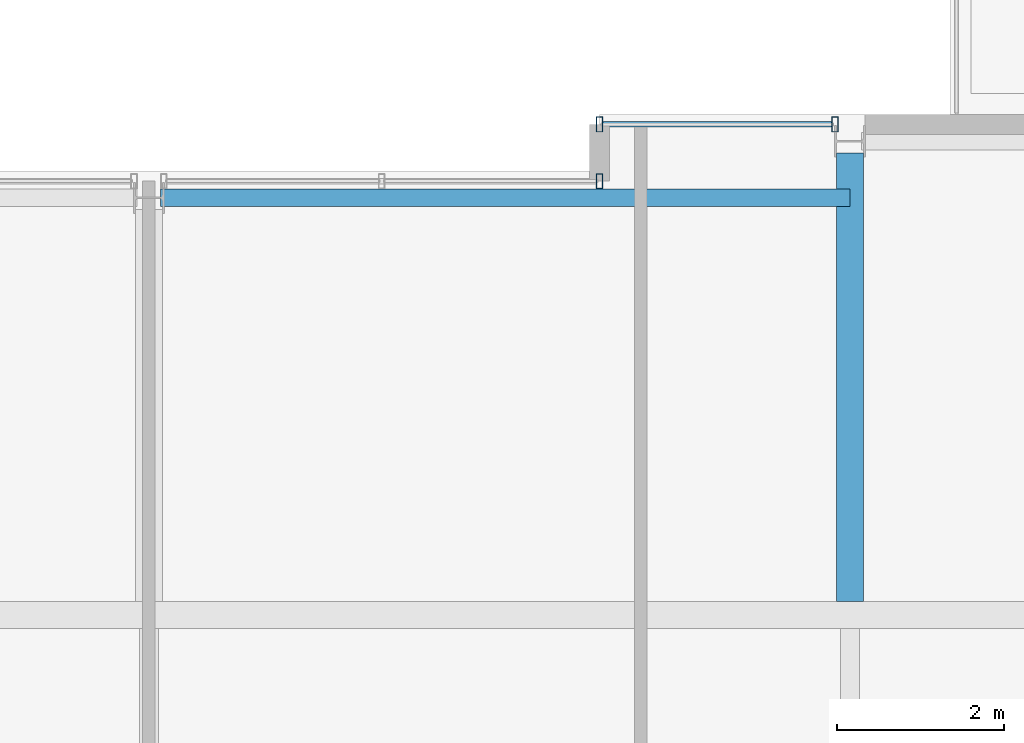
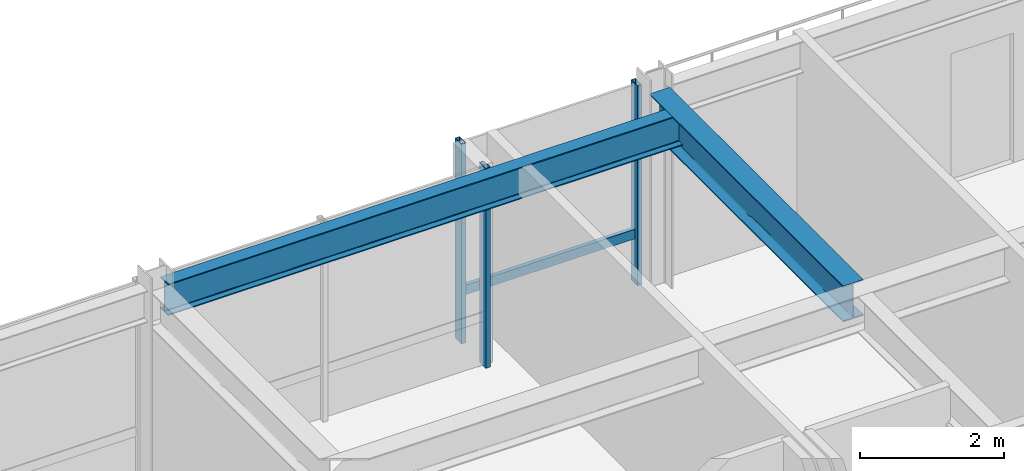
# One storey, part 24 of 33: 4 members, 2 beams, 2 elements without a shape of their own.
"""IFC4 building model written with IfcOpenShell, lengths in metres."""

from ifc_helpers import new_model, si_unit, direction, frame, origin, origin_2d, place, context, subcontext, project, spatial, hollow_rectangle, i_section, extrude, material, layer, layer_set, material_profile, profile_set, type_object, element, aggregate, save


model = new_model("IFC4")

# Units and contexts
model_context = context("Model", 3, precision=1e-05, world=origin(), true_north=direction((0.0, 1.0)))
body_context = subcontext(model_context, "Body", "Model", "MODEL_VIEW")
ifc_project = project(units=[si_unit("LENGTHUNIT", "METRE"), si_unit("AREAUNIT", "SQUARE_METRE"), si_unit("VOLUMEUNIT", "CUBIC_METRE"), si_unit("PLANEANGLEUNIT", "RADIAN"), si_unit("MASSUNIT", "GRAM", prefix="KILO")], contexts=[model_context])

# Site, building, storey
site_placement = place(None, origin())
site = spatial("IfcSite", under=ifc_project, at=site_placement, CompositionType="ELEMENT")
building_placement = place(site_placement, origin())
building = spatial("IfcBuilding", under=site, at=building_placement, Name="Drelvath Grand Hotel", CompositionType="ELEMENT")
storey_placement = place(building_placement, frame((0.0, 0.0, 268.64990234375)))
storey = spatial("IfcBuildingStorey", under=building, at=storey_placement, Name="L70", CompositionType="ELEMENT", Elevation=268.64990234375)

# Curtain wall, member
ifc_material_1 = material(Name="Platinum-Mist Anodised Aluminium Frame", Category="aluminium")
ifc_layer = layer(ifc_material_1, 0.199951171875)
ifc_layer_set = layer_set([ifc_layer], Name="Platinum-Mist Anodised Aluminium Frame")
curtain_wall_type = type_object("IfcCurtainWallType", Name="Stick Curtain Wall CW-05 Platinum Mist High-Rise", PredefinedType="NOTDEFINED", material=ifc_layer_set)
curtain_wall_1_placement = place(storey_placement, origin())
curtain_wall_1 = element("IfcCurtainWall", 1, at=curtain_wall_1_placement, inside=storey, type_object=curtain_wall_type, Name="L70 CW-05 Curtain Wall CW05-L70-NE1", PredefinedType="NOTDEFINED")
ifc_material_profile_1 = material_profile(ifc_material_1, hollow_rectangle(XDim=0.06494140625, YDim=0.159912109375, WallThickness=0.00390625, at=origin_2d()), Name="HSS160X65X4")
ifc_profile_set_1 = profile_set([ifc_material_profile_1], Name="Platinum-Mist Anodised Aluminium Frame")
member_type_1 = type_object("IfcMemberType", Name="Curtain Wall Horizontal Transom CW-05 HSS160X65X4", PredefinedType="USERDEFINED", material=ifc_profile_set_1)
member_1_placement = place(storey_placement, frame((5.43994140625, 49.080078125, 0.84765625), z_axis=(1.0, 0.0, 0.0), x_axis=(0.0, 1.0, 0.0)))
member_1 = element("IfcMember", 2, at=member_1_placement, type_object=member_type_1, Name="CW05-L70-NE1 Sill Transom", ObjectType="TRANSOM", PredefinedType="USERDEFINED", context=body_context, shape_type="SweptSolid", body=[
    extrude(hollow_rectangle(XDim=0.06494140625, YDim=0.159912109375, WallThickness=0.00390625, at=origin_2d()), origin(), (0.0, 0.0, 1.0), 2.741943359375),
])

curtain_wall_2_placement = place(storey_placement, origin())
curtain_wall_2 = element("IfcCurtainWall", 3, at=curtain_wall_2_placement, inside=storey, type_object=curtain_wall_type, Name="L70 CW-05 Curtain Wall CW05-L70-NM2", PredefinedType="NOTDEFINED")
ifc_material_profile_2 = material_profile(ifc_material_1, hollow_rectangle(XDim=0.074951171875, YDim=0.179931640625, WallThickness=0.0048828125, at=origin_2d()), Name="HSS180X75X5")
ifc_profile_set_2 = profile_set([ifc_material_profile_2], Name="Platinum-Mist Anodised Aluminium Frame")
member_type_2 = type_object("IfcMemberType", Name="Curtain Wall Vertical Mullion CW-05 HSS180X75X5", PredefinedType="MULLION", material=ifc_profile_set_2)
member_2_placement = place(storey_placement, frame((5.39990234375, 48.39990234375, 0.0), z_axis=(0.0, 0.0, 1.0), x_axis=(1.0, 0.0, 0.0)))
member_2 = element("IfcMember", 4, at=member_2_placement, type_object=member_type_2, Name="CW05-L70-NM2 Mullion 3", PredefinedType="MULLION", context=body_context, shape_type="SweptSolid", body=[
    extrude(hollow_rectangle(XDim=0.074951171875, YDim=0.179931640625, WallThickness=0.0048828125, at=origin_2d()), origin(), (0.0, 0.0, 1.0), 3.39013671875),
])
aggregate(curtain_wall_2, [member_2])

# Member
member_3_placement = place(storey_placement, frame((5.39990234375, 49.080078125, 0.0), z_axis=(0.0, 0.0, 1.0), x_axis=(1.0, 0.0, 0.0)))
member_3 = element("IfcMember", 5, at=member_3_placement, type_object=member_type_2, Name="CW05-L70-NE1 Mullion 1", PredefinedType="MULLION", context=body_context, shape_type="SweptSolid", body=[
    extrude(hollow_rectangle(XDim=0.074951171875, YDim=0.179931640625, WallThickness=0.0048828125, at=origin_2d()), origin(), (0.0, 0.0, 1.0), 3.39013671875),
])

member_4_placement = place(storey_placement, frame((8.2216796875, 49.080078125, 0.0), z_axis=(0.0, 0.0, 1.0), x_axis=(1.0, 0.0, 0.0)))
member_4 = element("IfcMember", 6, at=member_4_placement, type_object=member_type_2, Name="CW05-L70-NE1 Mullion 2", PredefinedType="MULLION", context=body_context, shape_type="SweptSolid", body=[
    extrude(hollow_rectangle(XDim=0.074951171875, YDim=0.179931640625, WallThickness=0.0048828125, at=origin_2d()), origin(), (0.0, 0.0, 1.0), 3.39013671875),
])

aggregate(curtain_wall_1, [member_3, member_4, member_1])

# Beams
ifc_material_2 = material(Name="Steel ASTM A992 Gr 50", Category="steel")
ifc_material_profile_3 = material_profile(ifc_material_2, i_section(OverallWidth=0.210205078125, OverallDepth=0.53662109375, WebThickness=0.010986328125, FlangeThickness=0.017333984375, FilletRadius=0.01806640625, at=origin_2d()), Name="W21X68")
ifc_profile_set_3 = profile_set([ifc_material_profile_3], Name="Steel ASTM A992 Gr 50")
beam_type_1 = type_object("IfcBeamType", Name="Perimeter Spandrel Beam W21X68", PredefinedType="SPANDREL", material=ifc_profile_set_3)
beam_1_placement = place(storey_placement, frame((0.139892578125, 48.199951171875, 3.121826171875), z_axis=(1.0, 0.0, 0.0), x_axis=(0.0, 1.0, 0.0)))
element("IfcBeam", 7, at=beam_1_placement, inside=storey, type_object=beam_type_1, Name="L70 Spandrel North Mid E", PredefinedType="SPANDREL", context=body_context, shape_type="SweptSolid", body=[
    extrude(i_section(OverallWidth=0.210205078125, OverallDepth=0.53662109375, WebThickness=0.010986328125, FlangeThickness=0.017333984375, FilletRadius=0.01806640625, at=origin_2d()), origin(), (0.0, 0.0, 1.0), 8.260009765625),
])
ifc_material_profile_4 = material_profile(ifc_material_2, i_section(OverallWidth=0.323974609375, OverallDepth=0.611083984375, WebThickness=0.0126953125, FlangeThickness=0.01904296875, FilletRadius=0.02197265625, at=origin_2d()), Name="W24X104")
ifc_profile_set_4 = profile_set([ifc_material_profile_4], Name="Steel ASTM A992 Gr 50")
beam_type_2 = type_object("IfcBeamType", Name="Primary Floor Girder W24X104", PredefinedType="BEAM", material=ifc_profile_set_4)
beam_2_placement = place(storey_placement, frame((8.39990234375, 43.362060546875, 3.084716796875), z_axis=(0.0, 1.0, 0.0), x_axis=(-1.0, 0.0, 0.0)))
element("IfcBeam", 8, at=beam_2_placement, inside=storey, type_object=beam_type_2, Name="L70 North Wing Girder 6", PredefinedType="BEAM", context=body_context, shape_type="SweptSolid", body=[
    extrude(i_section(OverallWidth=0.323974609375, OverallDepth=0.611083984375, WebThickness=0.0126953125, FlangeThickness=0.01904296875, FilletRadius=0.02197265625, at=origin_2d()), origin(), (0.0, 0.0, 1.0), 5.3779296875),
])

save(model, "model.ifc")
